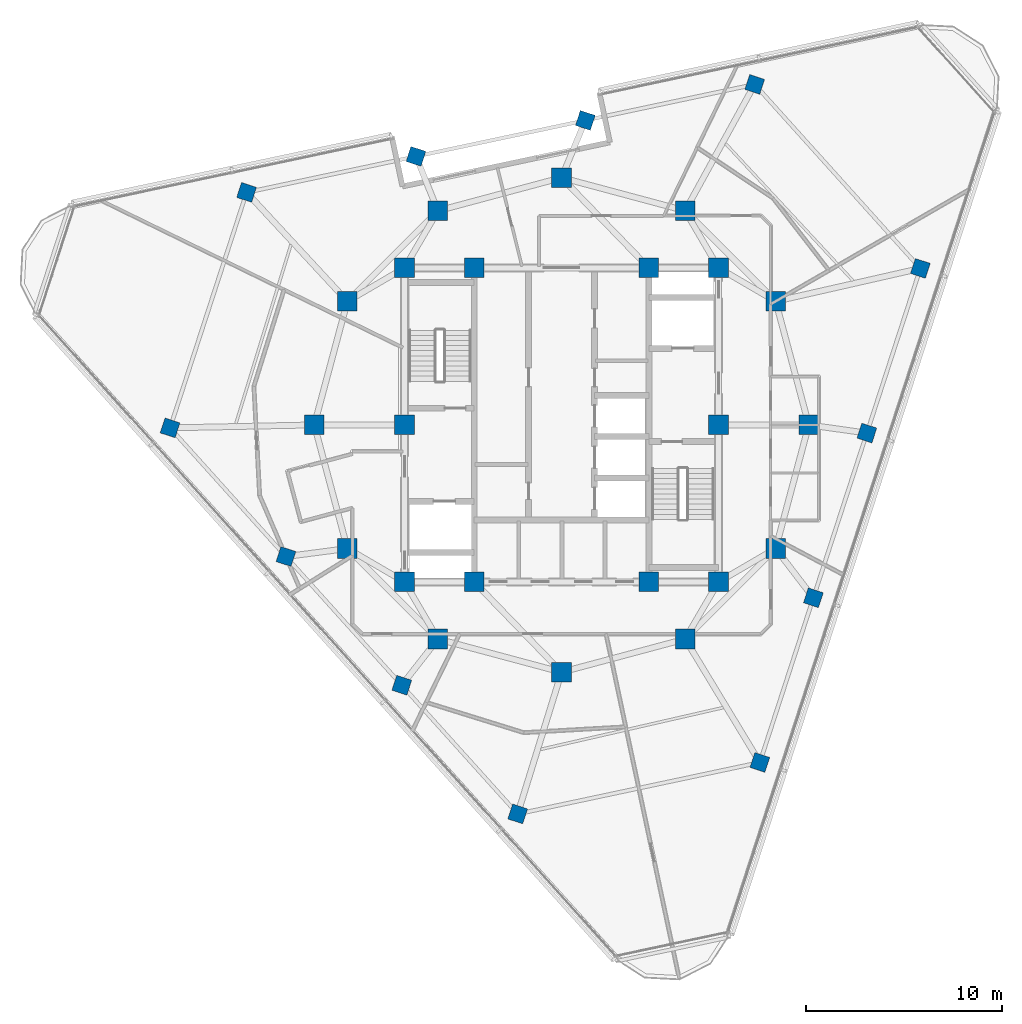
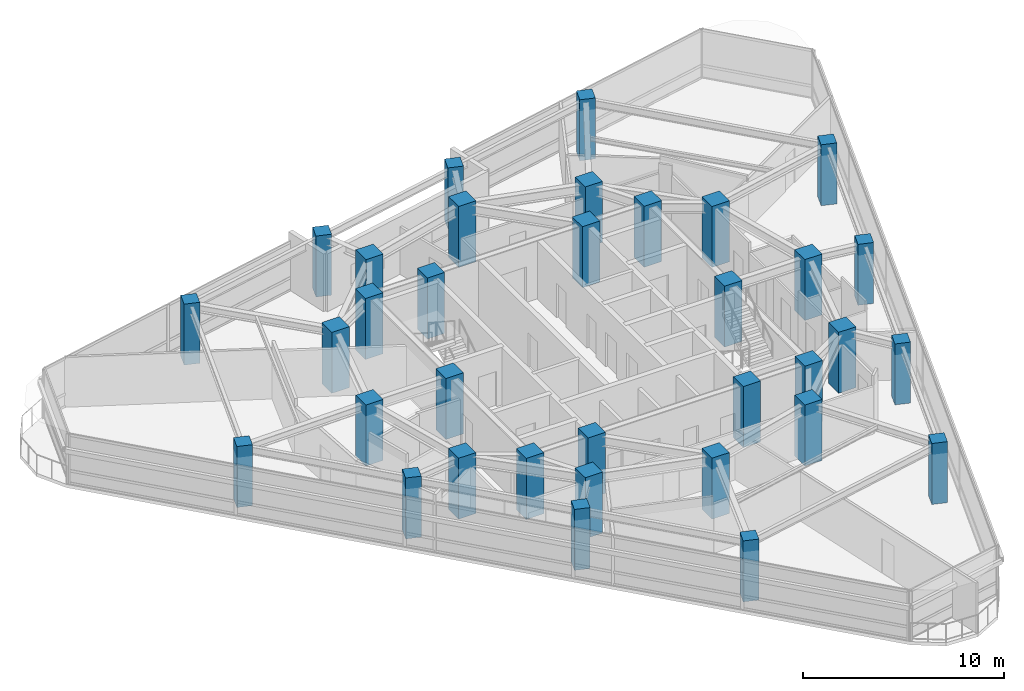
# One storey, part 1 of 15: 34 columns.
"""IFC4 building model written with IfcOpenShell, lengths in metres."""

import ifcopenshell
import ifcopenshell.guid

model = None  # the IFC model being written
_history = None  # IfcOwnerHistory: only IFC2X3 demands one
_inside = {}  # id of a spatial element -> (the spatial element, [elements in it])
_under = {}  # id of a project, library or spatial element -> (it, [spatial elements below it])
_declared = {}  # id of a project -> (the project, [libraries it declares])
_typed = {}  # id of a type object -> (the type object, [elements of that type])
_made_of = {}  # id of a material, layer set ... -> (it, [elements and type objects made of it])


def new_model(schema):
    """Start an empty IFC model of exactly this schema.

    Asked for "IFC4X3", IfcOpenShell would pick the latest addendum, in which some entities
    have other attributes; the version numbers below select the first issue.
    IFC2X3 requires an IfcOwnerHistory on every rooted entity: one is made here for all.
    """
    global model, _history
    if schema == "IFC4X3":
        model = ifcopenshell.file(schema_version=(4, 3, 0, 0))
    else:
        model = ifcopenshell.file(schema=schema)
    _inside.clear()
    _under.clear()
    _declared.clear()
    _typed.clear()
    _made_of.clear()
    _history = None
    if model.schema == "IFC2X3":
        org = make("IfcOrganization", Name="unknown")
        user = make(
            "IfcPersonAndOrganization",
            ThePerson=make("IfcPerson", FamilyName="unknown"),
            TheOrganization=org,
        )
        app = make(
            "IfcApplication",
            ApplicationDeveloper=org,
            Version="unknown",
            ApplicationFullName="unknown",
            ApplicationIdentifier="unknown",
        )
        _history = make(
            "IfcOwnerHistory",
            OwningUser=user,
            OwningApplication=app,
            ChangeAction="ADDED",
            CreationDate=0,
        )
    return model


def make(cls, **values):
    """One entity of the class cls with the attributes given. An attribute that is None is left unset."""
    return model.create_entity(
        cls, **{name: value for name, value in values.items() if value is not None}
    )


def rooted(cls, **values):
    """An entity with a GlobalId (a new one), such as an element, a storey or a relation."""
    return make(cls, GlobalId=ifcopenshell.guid.new(), OwnerHistory=_history, **values)


def si_unit(unit_type, name, prefix=None):
    """IfcSIUnit, for example si_unit("LENGTHUNIT", "METRE", prefix="MILLI")."""
    return make("IfcSIUnit", UnitType=unit_type, Prefix=prefix, Name=name)


def assignment(units):
    """IfcUnitAssignment: the units of a project."""
    return None if units is None else make("IfcUnitAssignment", Units=units)


def point(xyz):
    """IfcCartesianPoint."""
    return None if xyz is None else make("IfcCartesianPoint", Coordinates=xyz)


def direction(xyz):
    """IfcDirection."""
    return None if xyz is None else make("IfcDirection", DirectionRatios=xyz)


def frame(location, z_axis=None, x_axis=None):
    """IfcAxis2Placement3D, a coordinate frame: its origin and axes. An axis left out is left unset."""
    return make(
        "IfcAxis2Placement3D",
        Location=point(location),
        Axis=direction(z_axis),
        RefDirection=direction(x_axis),
    )


def frame_2d(location, x_axis=None):
    """IfcAxis2Placement2D, a coordinate frame in the plane: its origin and x axis."""
    return make(
        "IfcAxis2Placement2D", Location=point(location), RefDirection=direction(x_axis)
    )


def origin():
    """The frame at (0, 0, 0) with its axes left unset."""
    return frame((0.0, 0.0, 0.0))


def origin_2d():
    """The frame at (0, 0) in the plane with its x axis left unset."""
    return frame_2d((0.0, 0.0))


def place(relative_to, where):
    """IfcLocalPlacement: puts the frame where relative to a parent placement (None: the world)."""
    return make(
        "IfcLocalPlacement", PlacementRelTo=relative_to, RelativePlacement=where
    )


def context(
    kind, dimensions, precision=None, world=None, true_north=None, identifier=None
):
    """IfcGeometricRepresentationContext, for example the 3D "Model" context."""
    return make(
        "IfcGeometricRepresentationContext",
        ContextIdentifier=identifier,
        ContextType=kind,
        CoordinateSpaceDimension=dimensions,
        Precision=precision,
        WorldCoordinateSystem=world,
        TrueNorth=true_north,
    )


def subcontext(parent, identifier, kind, view, scale=None):
    """IfcGeometricRepresentationSubContext, for example "Body" below "Model"."""
    return make(
        "IfcGeometricRepresentationSubContext",
        ContextIdentifier=identifier,
        ContextType=kind,
        ParentContext=parent,
        TargetScale=scale,
        TargetView=view,
    )


def project(units=None, contexts=None):
    """IfcProject with its units and contexts."""
    return rooted(
        "IfcProject",
        Name="project",
        RepresentationContexts=contexts,
        UnitsInContext=assignment(units),
    )


def spatial(cls, under=None, at=None, **own):
    """A site, building, storey or space (cls), placed at a placement, below another one or the project."""
    s = rooted(cls, ObjectPlacement=at, **own)
    if under is not None:
        _under.setdefault(under.id(), (under, []))[1].append(s)
    return s


def profile(cls, at=None, kind="AREA", **sizes):
    """A parametric profile (cls). Its sizes go by their IFC names, for example OverallWidth=200.0."""
    return make(cls, ProfileType=kind, Position=at, **sizes)


def rectangle(**sizes):
    """IfcRectangleProfileDef."""
    return profile("IfcRectangleProfileDef", **sizes)


def extrude(swept, where, along, depth):
    """IfcExtrudedAreaSolid: the profile swept, set in the frame where, extruded along a direction by depth."""
    return make(
        "IfcExtrudedAreaSolid",
        SweptArea=swept,
        Position=where,
        ExtrudedDirection=direction(along),
        Depth=depth,
    )


def shape(context_of_items, identifier, shape_type, items):
    """IfcShapeRepresentation: the items that make up one representation, for example the "Body"."""
    return make(
        "IfcShapeRepresentation",
        ContextOfItems=context_of_items,
        RepresentationIdentifier=identifier,
        RepresentationType=shape_type,
        Items=items,
    )


def material(Name=None, Category=None):
    """IfcMaterial."""
    return make("IfcMaterial", Name=Name, Category=Category)


def material_profile(
    of_material, cross_section, Name=None, Category=None, Priority=None
):
    """IfcMaterialProfile: a cross section and its material."""
    return make(
        "IfcMaterialProfile",
        Name=Name,
        Material=of_material,
        Profile=cross_section,
        Priority=Priority,
        Category=Category,
    )


def profile_set(profiles, Name=None, composite=None):
    """IfcMaterialProfileSet."""
    return make(
        "IfcMaterialProfileSet",
        Name=Name,
        MaterialProfiles=profiles,
        CompositeProfile=composite,
    )


def made_of(thing, what):
    """Note that an element or type object is made of a material, layer set ...; save() writes the relation."""
    if what is not None:
        _made_of.setdefault(what.id(), (what, []))[1].append(thing)
    return thing


def type_object(cls, material=None, **own):
    """A type object (cls), such as IfcWallType, which elements share."""
    return made_of(rooted(cls, **own), material)


def element(
    cls,
    number,
    at=None,
    inside=None,
    cuts=None,
    type_object=None,
    material=None,
    context=None,
    identifier="Body",
    shape_type=None,
    held_by="IfcProductDefinitionShape",
    body=None,
    shapes=None,
    **own,
):
    """One element of the class cls, such as IfcWall. Its Tag is "e" and its number.

    at: its placement. inside: the storey or other place that contains it. cuts: it is an
    opening in that element (IfcRelVoidsElement). A single representation is given by context,
    identifier, shape_type and body (its items); several are given by shapes. held_by: the class
    of the entity that holds the representations. save() writes the other relations.
    """
    e = rooted(cls, Tag="e%d" % number, ObjectPlacement=at, **own)
    if body is not None:
        shapes = [shape(context, identifier, shape_type, body)]
    if shapes is not None:
        e.Representation = make(held_by, Representations=shapes)
    if inside is not None:
        _inside.setdefault(inside.id(), (inside, []))[1].append(e)
    if cuts is not None:
        rooted(
            "IfcRelVoidsElement", RelatingBuildingElement=cuts, RelatedOpeningElement=e
        )
    if type_object is not None:
        _typed.setdefault(type_object.id(), (type_object, []))[1].append(e)
    return made_of(e, material)


def aggregate(whole, parts):
    """IfcRelAggregates: a whole, such as a stair, and the parts it consists of."""
    return rooted("IfcRelAggregates", RelatingObject=whole, RelatedObjects=parts)


def save(model, path):
    """Write the relations noted so far, then the file.

    IfcRelAggregates (storeys below a building ...), IfcRelContainedInSpatialStructure (elements
    in a storey), IfcRelDefinesByType, IfcRelAssociatesMaterial and IfcRelDeclares: one each for
    every whole, place, type object, material and project.
    """
    for whole, parts in _under.values():
        aggregate(whole, parts)
    for where, things in _inside.values():
        rooted(
            "IfcRelContainedInSpatialStructure",
            RelatedElements=things,
            RelatingStructure=where,
        )
    for kind, things in _typed.values():
        rooted("IfcRelDefinesByType", RelatedObjects=things, RelatingType=kind)
    for what, things in _made_of.values():
        rooted("IfcRelAssociatesMaterial", RelatedObjects=things, RelatingMaterial=what)
    for by, libraries in _declared.values():
        rooted("IfcRelDeclares", RelatingContext=by, RelatedDefinitions=libraries)
    model.write(path)


model = new_model("IFC4")

# Units and contexts
model_context = context("Model", 3, precision=1e-05, world=origin(), true_north=direction((0.0, 1.0)))
body_context = subcontext(model_context, "Body", "Model", "MODEL_VIEW")
ifc_project = project(units=[si_unit("LENGTHUNIT", "METRE"), si_unit("AREAUNIT", "SQUARE_METRE"), si_unit("VOLUMEUNIT", "CUBIC_METRE"), si_unit("PLANEANGLEUNIT", "RADIAN"), si_unit("MASSUNIT", "GRAM", prefix="KILO")], contexts=[model_context])

# Site, building, storey
site_placement = place(None, origin())
site = spatial("IfcSite", under=ifc_project, at=site_placement, CompositionType="ELEMENT")
building_placement = place(site_placement, origin())
building = spatial("IfcBuilding", under=site, at=building_placement, Name="Terralouvre Media Tower", CompositionType="ELEMENT")
storey_placement = place(building_placement, frame((0.0, 0.0, 305.39990234375)))
storey = spatial("IfcBuildingStorey", under=building, at=storey_placement, Name="L79", CompositionType="ELEMENT", Elevation=305.39990234375)

# Columns
ifc_material_1 = material(Name="Concrete C50/60", Category="concrete")
ifc_material_profile_1 = material_profile(ifc_material_1, rectangle(XDim=1.0, YDim=1.0, at=origin_2d()), Name="RC 1000x1000")
ifc_profile_set_1 = profile_set([ifc_material_profile_1], Name="Concrete C50/60")
column_type_1 = type_object("IfcColumnType", Name="Structural Column C-RC1000 (RC 1000x1000)", PredefinedType="COLUMN", material=ifc_profile_set_1)
for number, where, z_axis, x_axis, name in (
    (1, (-8.0, -8.0, 0.0), (0.0, 0.0, 1.0), (1.0, 0.0, 0.0), "L79 Core Pilaster Column CP1"),
    (2, (-4.449951171875, -8.0, 0.0), (0.0, 0.0, 1.0), (1.0, 0.0, 0.0), "L79 Core Pilaster Column CP2"),
    (3, (4.449951171875, -8.0, 0.0), (0.0, 0.0, 1.0), (1.0, 0.0, 0.0), "L79 Core Pilaster Column CP10"),
    (4, (8.0, -8.0, 0.0), (0.0, 0.0, 1.0), (1.0, 0.0, 0.0), "L79 Core Pilaster Column CP3"),
    (5, (8.0, 0.0, 0.0), (0.0, 0.0, 1.0), (1.0, 0.0, 0.0), "L79 Core Pilaster Column CP4"),
    (6, (8.0, 8.0, 0.0), (0.0, 0.0, 1.0), (1.0, 0.0, 0.0), "L79 Core Pilaster Column CP5"),
    (7, (4.449951171875, 8.0, 0.0), (0.0, 0.0, 1.0), (1.0, 0.0, 0.0), "L79 Core Pilaster Column CP9"),
    (8, (-4.449951171875, 8.0, 0.0), (0.0, 0.0, 1.0), (1.0, 0.0, 0.0), "L79 Core Pilaster Column CP6"),
    (9, (-8.0, 8.0, 0.0), (0.0, 0.0, 1.0), (1.0, 0.0, 0.0), "L79 Core Pilaster Column CP7"),
    (10, (-8.0, 0.0, 0.0), (0.0, 0.0, 1.0), (1.0, 0.0, 0.0), "L79 Core Pilaster Column CP8"),
    (11, (12.60009765625, 0.0, 0.0), (0.0, 0.0, 1.0), (1.0, 0.0, 0.0), "L79 Mega-Frame Column MC01"),
    (12, (10.911865234375, 6.300048828125, 0.0), (0.0, 0.0, 1.0), (1.0, 0.0, 0.0), "L79 Mega-Frame Column MC02"),
    (13, (6.300048828125, 10.911865234375, 0.0), (0.0, 0.0, 1.0), (1.0, 0.0, 0.0), "L79 Mega-Frame Column MC03"),
    (14, (0.0, 12.60009765625, 0.0), (0.0, 0.0, 1.0), (1.0, 0.0, 0.0), "L79 Mega-Frame Column MC04"),
    (15, (-6.300048828125, 10.911865234375, 0.0), (0.0, 0.0, 1.0), (1.0, 0.0, 0.0), "L79 Mega-Frame Column MC05"),
    (16, (-10.911865234375, 6.300048828125, 0.0), (0.0, 0.0, 1.0), (1.0, 0.0, 0.0), "L79 Mega-Frame Column MC06"),
    (17, (-12.60009765625, 0.0, 0.0), (0.0, 0.0, 1.0), (1.0, 0.0, 0.0), "L79 Mega-Frame Column MC07"),
    (18, (-10.911865234375, -6.300048828125, 0.0), (0.0, 0.0, 1.0), (1.0, 0.0, 0.0), "L79 Mega-Frame Column MC08"),
    (19, (-6.300048828125, -10.911865234375, 0.0), (0.0, 0.0, 1.0), (1.0, 0.0, 0.0), "L79 Mega-Frame Column MC09"),
    (20, (0.0, -12.60009765625, 0.0), (0.0, 0.0, 1.0), (1.0, 0.0, 0.0), "L79 Mega-Frame Column MC10"),
    (21, (6.300048828125, -10.911865234375, 0.0), (0.0, 0.0, 1.0), (1.0, 0.0, 0.0), "L79 Mega-Frame Column MC11"),
    (22, (10.911865234375, -6.300048828125, 0.0), (0.0, 0.0, 1.0), (1.0, 0.0, 0.0), "L79 Mega-Frame Column MC12"),
):
    element("IfcColumn", number, at=place(storey_placement, frame(where, z_axis=z_axis, x_axis=x_axis)), inside=storey, type_object=column_type_1, Name=name, PredefinedType="COLUMN", context=body_context, shape_type="SweptSolid", body=[
        extrude(rectangle(XDim=1.0, YDim=1.0, at=origin_2d()), origin(), (0.0, 0.0, 1.0), 3.7001953125),
    ])
ifc_material_2 = material(Name="Concrete C50/60", Category="concrete")
ifc_material_profile_2 = material_profile(ifc_material_2, rectangle(XDim=0.800048828125, YDim=0.800048828125, at=origin_2d()), Name="RC 800x800")
ifc_profile_set_2 = profile_set([ifc_material_profile_2], Name="Concrete C50/60")
column_type_2 = type_object("IfcColumnType", Name="Structural Column C-RC800 (RC 800x800)", PredefinedType="COLUMN", material=ifc_profile_set_2)
for number, where, z_axis, x_axis, name in (
    (23, (10.105712890625, -17.20068359375, 0.0), (0.0, 0.0, 1.0), (0.309016994375, 0.951056516295, 0.0), "L79 Perimeter Mega-Column PC11"),
    (24, (12.83251953125, -8.80859375, 0.0), (0.0, 0.0, 1.0), (0.309016994375, 0.951056516295, 0.0), "L79 Perimeter Mega-Column PC12"),
    (25, (15.55908203125, -0.41650390625, 0.0), (0.0, 0.0, 1.0), (0.309016994375, 0.951056516295, 0.0), "L79 Perimeter Mega-Column PC13"),
    (26, (18.285888671875, 7.9755859375, 0.0), (0.0, 0.0, 1.0), (0.309016994375, 0.951056516295, 0.0), "L79 Perimeter Mega-Column PC14"),
    (27, (9.843505859375, 17.35205078125, 0.0), (0.0, 0.0, 1.0), (0.309016994375, 0.951056516295, 0.0), "L79 Perimeter Mega-Column PC21"),
    (28, (1.212158203125, 15.517578125, 0.0), (0.0, 0.0, 1.0), (0.309016994375, 0.951056516295, 0.0), "L79 Perimeter Mega-Column PC22"),
    (29, (-7.4189453125, 13.682861328125, 0.0), (0.0, 0.0, 1.0), (0.309016994375, 0.951056516295, 0.0), "L79 Perimeter Mega-Column PC23"),
    (30, (-16.050048828125, 11.84814453125, 0.0), (0.0, 0.0, 1.0), (0.309016994375, 0.951056516295, 0.0), "L79 Perimeter Mega-Column PC24"),
    (31, (-19.948974609375, -0.1513671875, 0.0), (0.0, 0.0, 1.0), (0.309016994375, 0.951056516295, 0.0), "L79 Perimeter Mega-Column PC31"),
    (32, (-14.044677734375, -6.708984375, 0.0), (0.0, 0.0, 1.0), (0.309016994375, 0.951056516295, 0.0), "L79 Perimeter Mega-Column PC32"),
    (33, (-8.14013671875, -13.266357421875, 0.0), (0.0, 0.0, 1.0), (0.309016994375, 0.951056516295, 0.0), "L79 Perimeter Mega-Column PC33"),
    (34, (-2.23583984375, -19.823974609375, 0.0), (0.0, 0.0, 1.0), (0.309016994375, 0.951056516295, 0.0), "L79 Perimeter Mega-Column PC34"),
):
    element("IfcColumn", number, at=place(storey_placement, frame(where, z_axis=z_axis, x_axis=x_axis)), inside=storey, type_object=column_type_2, Name=name, PredefinedType="COLUMN", context=body_context, shape_type="SweptSolid", body=[
        extrude(rectangle(XDim=0.800048828125, YDim=0.800048828125, at=origin_2d()), origin(), (0.0, 0.0, 1.0), 3.7001953125),
    ])

save(model, "model.ifc")
